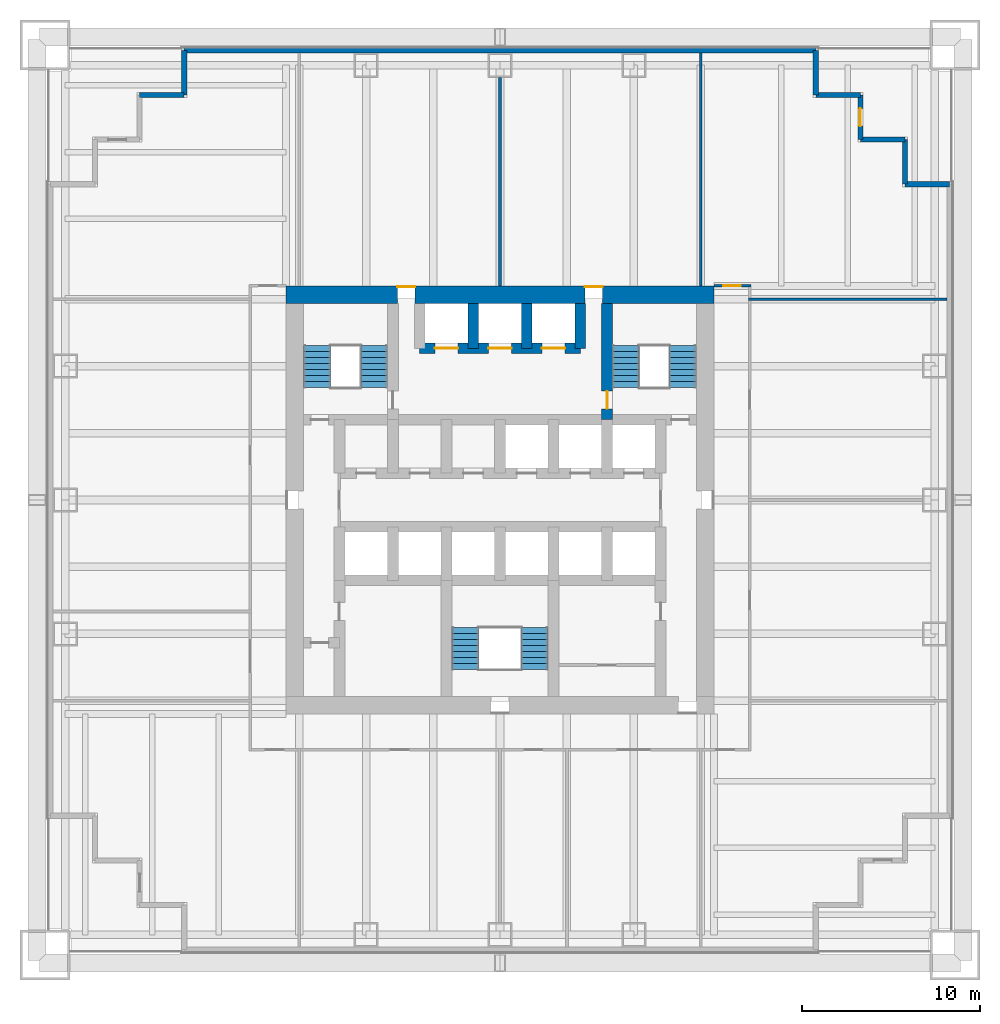
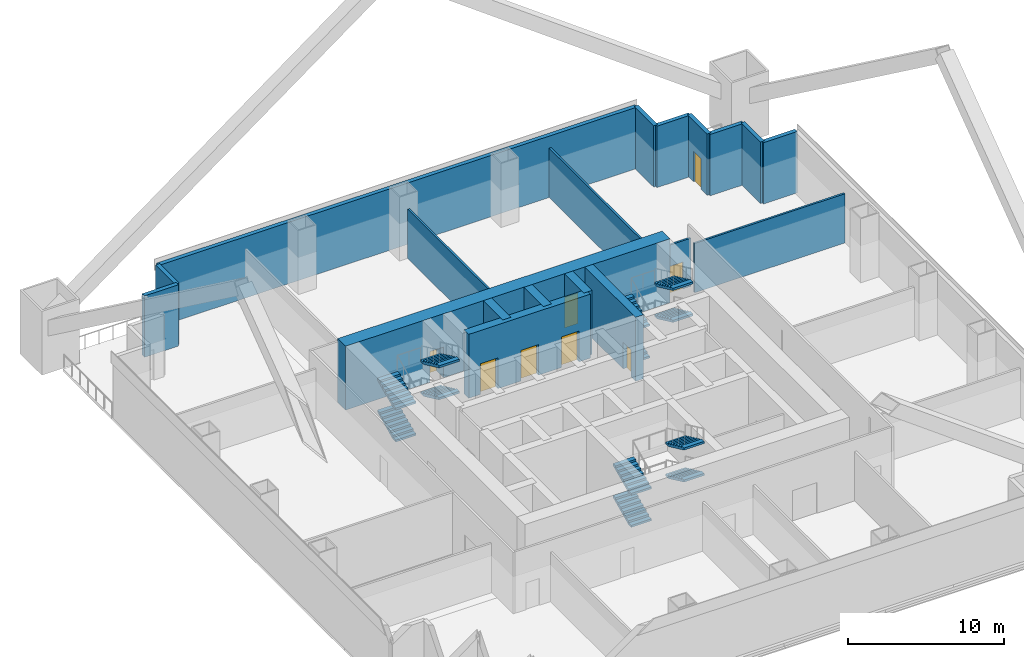
# One storey, part 4 of 6: 19 walls, 12 stair flights, 8 doors, 8 openings, 3 elements without a shape of their own.
"""IFC4 building model written with IfcOpenShell, lengths in metres."""

from ifc_helpers import new_model, si_unit, direction, frame, frame_2d, origin, place, context, subcontext, project, spatial, polyline, rectangle, outline, extrude, material, layer, layer_set, type_object, element, fill, aggregate, save


model = new_model("IFC4")

# Units and contexts
model_context = context("Model", 3, precision=1e-05, world=origin(), true_north=direction((0.0, 1.0)))
body_context = subcontext(model_context, "Body", "Model", "MODEL_VIEW")
ifc_project = project(units=[si_unit("LENGTHUNIT", "METRE"), si_unit("AREAUNIT", "SQUARE_METRE"), si_unit("VOLUMEUNIT", "CUBIC_METRE"), si_unit("PLANEANGLEUNIT", "RADIAN"), si_unit("MASSUNIT", "GRAM", prefix="KILO")], contexts=[model_context])

# Site, building, storey
site_placement = place(None, origin())
site = spatial("IfcSite", under=ifc_project, at=site_placement, CompositionType="ELEMENT")
building_placement = place(site_placement, origin())
building = spatial("IfcBuilding", under=site, at=building_placement, Name="Tarangal Relay Tower", CompositionType="ELEMENT")
storey_placement = place(building_placement, frame((0.0, 0.0, 58.39990234375)))
storey = spatial("IfcBuildingStorey", under=building, at=storey_placement, Name="L11", CompositionType="ELEMENT", Elevation=58.39990234375)

# Wall, openings, doors
ifc_material_1 = material(Name="Concrete fc' 60 MPa", Category="concrete")
ifc_layer_1 = layer(ifc_material_1, 0.60009765625)
ifc_layer_set_1 = layer_set([ifc_layer_1], Name="Core inner wall 600")
wall_type_1 = type_object("IfcWallType", Name="Core inner wall 600", PredefinedType="SHEAR", material=ifc_layer_set_1)
wall_1_placement = place(storey_placement, frame((-4.5, 8.5, 0.0), z_axis=(0.0, 0.0, 1.0), x_axis=(1.0, 0.0, 0.0)))
wall_1 = element("IfcWall", 1, at=wall_1_placement, inside=storey, type_object=wall_type_1, Name="Core wall Y85 L11", PredefinedType="SHEAR", context=body_context, shape_type="SweptSolid", body=[
    extrude(rectangle(XDim=9.0, YDim=0.60009765625, at=frame_2d((4.5, 0.0))), origin(), (0.0, 0.0, 1.0), 5.0),
])
opening_1_placement = place(wall_1_placement, frame((0.85009765625, 0.0, 0.0)))
opening_1 = element("IfcOpeningElement", 2, at=opening_1_placement, cuts=wall_1, Name="Opening LD2", PredefinedType="OPENING", context=body_context, shape_type="SweptSolid", body=[
    extrude(rectangle(XDim=1.300048828125, YDim=2.39990234375, at=frame_2d((0.64990234375, 1.199951171875))), frame((0.0, 0.31005859375, 0.0), z_axis=(0.0, -1.0, 0.0), x_axis=(1.0, 0.0, 0.0)), (0.0, 0.0, 1.0), 0.6201171875),
])
opening_2_placement = place(wall_1_placement, frame((6.85009765625, 0.0, 0.0)))
opening_2 = element("IfcOpeningElement", 3, at=opening_2_placement, cuts=wall_1, Name="Opening LD2", PredefinedType="OPENING", context=body_context, shape_type="SweptSolid", body=[
    extrude(rectangle(XDim=1.300048828125, YDim=2.39990234375, at=frame_2d((0.64990234375, 1.199951171875))), frame((0.0, 0.31005859375, 0.0), z_axis=(0.0, -1.0, 0.0), x_axis=(1.0, 0.0, 0.0)), (0.0, 0.0, 1.0), 0.6201171875),
])
opening_3_placement = place(wall_1_placement, frame((3.85009765625, 0.0, 0.0)))
opening_3 = element("IfcOpeningElement", 4, at=opening_3_placement, cuts=wall_1, Name="Opening LD2", PredefinedType="OPENING", context=body_context, shape_type="SweptSolid", body=[
    extrude(rectangle(XDim=1.300048828125, YDim=2.39990234375, at=frame_2d((0.64990234375, 1.199951171875))), frame((0.0, 0.31005859375, 0.0), z_axis=(0.0, -1.0, 0.0), x_axis=(1.0, 0.0, 0.0)), (0.0, 0.0, 1.0), 0.6201171875),
])
ifc_material_2 = material(Name="Steel door with hardwood frame", Category="steel")
door_type_1 = type_object("IfcDoorType", Name="Lift landing door 1300 x 2400", OperationType="SLIDING_TO_LEFT", PredefinedType="DOOR", material=ifc_material_2)
door_1_placement = place(opening_1_placement, origin())
door_1 = element("IfcDoor", 5, at=door_1_placement, inside=storey, type_object=door_type_1, Name="Lift FF1 landing door L11", OperationType="SLIDING_TO_LEFT", OverallHeight=2.39990234375, OverallWidth=1.300048828125, PredefinedType="DOOR", context=body_context, shape_type="SweptSolid", body=[
    extrude(rectangle(XDim=1.300048828125, YDim=2.39990234375, at=frame_2d((0.64990234375, 1.199951171875))), frame((0.0, 0.02490234375, 0.0), z_axis=(0.0, -1.0, 0.0), x_axis=(1.0, 0.0, 0.0)), (0.0, 0.0, 1.0), 0.050048828125),
])
fill(opening_1, door_1)
door_2_placement = place(opening_2_placement, origin())
door_2 = element("IfcDoor", 6, at=door_2_placement, inside=storey, type_object=door_type_1, Name="Lift FF2 landing door L11", OperationType="SLIDING_TO_LEFT", OverallHeight=2.39990234375, OverallWidth=1.300048828125, PredefinedType="DOOR", context=body_context, shape_type="SweptSolid", body=[
    extrude(rectangle(XDim=1.300048828125, YDim=2.39990234375, at=frame_2d((0.64990234375, 1.199951171875))), frame((0.0, 0.02490234375, 0.0), z_axis=(0.0, -1.0, 0.0), x_axis=(1.0, 0.0, 0.0)), (0.0, 0.0, 1.0), 0.050048828125),
])
fill(opening_2, door_2)
door_3_placement = place(opening_3_placement, origin())
door_3 = element("IfcDoor", 7, at=door_3_placement, inside=storey, type_object=door_type_1, Name="Lift SV1 landing door L11", OperationType="SLIDING_TO_LEFT", OverallHeight=2.39990234375, OverallWidth=1.300048828125, PredefinedType="DOOR", context=body_context, shape_type="SweptSolid", body=[
    extrude(rectangle(XDim=1.300048828125, YDim=2.39990234375, at=frame_2d((0.64990234375, 1.199951171875))), frame((0.0, 0.02490234375, 0.0), z_axis=(0.0, -1.0, 0.0), x_axis=(1.0, 0.0, 0.0)), (0.0, 0.0, 1.0), 0.050048828125),
])
fill(opening_3, door_3)

# Wall, opening, door
wall_2_placement = place(storey_placement, frame((6.0, 4.5, 0.0), z_axis=(0.0, 0.0, 1.0), x_axis=(0.0, 1.0, 0.0)))
wall_2 = element("IfcWall", 8, at=wall_2_placement, inside=storey, type_object=wall_type_1, Name="Core wall X6 L11", PredefinedType="SHEAR", context=body_context, shape_type="SweptSolid", body=[
    extrude(rectangle(XDim=6.5, YDim=0.60009765625, at=frame_2d((3.25, 0.0))), origin(), (0.0, 0.0, 1.0), 5.0),
])
opening_4_placement = place(wall_2_placement, frame((0.60009765625, 0.0, 0.0)))
opening_4 = element("IfcOpeningElement", 9, at=opening_4_placement, cuts=wall_2, Name="Opening FD1", PredefinedType="OPENING", context=body_context, shape_type="SweptSolid", body=[
    extrude(rectangle(XDim=1.0, YDim=2.10009765625, at=frame_2d((0.5, 1.050048828125))), frame((0.0, 0.31005859375, 0.0), z_axis=(0.0, -1.0, 0.0), x_axis=(1.0, 0.0, 0.0)), (0.0, 0.0, 1.0), 0.6201171875),
])
door_type_2 = type_object("IfcDoorType", Name="Fire door 1000 x 2100", OperationType="SINGLE_SWING_LEFT", PredefinedType="DOOR", material=ifc_material_2)
door_4_placement = place(opening_4_placement, origin())
door_4 = element("IfcDoor", 10, at=door_4_placement, inside=storey, type_object=door_type_2, Name="Stair ST-B door from fire-fighting lobby L11", OperationType="SINGLE_SWING_LEFT", OverallHeight=2.10009765625, OverallWidth=1.0, PredefinedType="DOOR", context=body_context, shape_type="SweptSolid", body=[
    extrude(rectangle(XDim=1.0, YDim=2.10009765625, at=frame_2d((0.5, 1.050048828125))), frame((0.0, 0.02490234375, 0.0), z_axis=(0.0, -1.0, 0.0), x_axis=(1.0, 0.0, 0.0)), (0.0, 0.0, 1.0), 0.050048828125),
])
fill(opening_4, door_4)

# Walls
for number, where, z_axis, x_axis, name in (
    (11, (4.5, 8.5, 0.0), (0.0, 0.0, 1.0), (0.0, 1.0, 0.0), "Core wall X45 L11"),
    (12, (-1.5, 8.5, 0.0), (0.0, 0.0, 1.0), (0.0, 1.0, 0.0), "Core wall XM15 L11"),
    (13, (1.5, 8.5, 0.0), (0.0, 0.0, 1.0), (0.0, 1.0, 0.0), "Core wall X15 L11"),
):
    element("IfcWall", number, at=place(storey_placement, frame(where, z_axis=z_axis, x_axis=x_axis)), inside=storey, type_object=wall_type_1, Name=name, PredefinedType="SHEAR", context=body_context, shape_type="SweptSolid", body=[
        extrude(rectangle(XDim=2.5, YDim=0.60009765625, at=frame_2d((1.25, 0.0))), origin(), (0.0, 0.0, 1.0), 5.0),
    ])

# Wall, openings, doors
ifc_layer_2 = layer(ifc_material_1, 1.0)
ifc_layer_set_2 = layer_set([ifc_layer_2], Name="Core wall 1000")
wall_type_2 = type_object("IfcWallType", Name="Core wall 1000", PredefinedType="SHEAR", material=ifc_layer_set_2)
wall_3_placement = place(storey_placement, frame((-12.0, 11.5, 0.0), z_axis=(0.0, 0.0, 1.0), x_axis=(1.0, 0.0, 0.0)))
wall_3 = element("IfcWall", 14, at=wall_3_placement, inside=storey, type_object=wall_type_2, Name="Core wall N L11", PredefinedType="SHEAR", context=body_context, shape_type="SweptSolid", body=[
    extrude(rectangle(XDim=24.0, YDim=1.0, at=frame_2d((12.0, 0.0))), origin(), (0.0, 0.0, 1.0), 5.0),
])
opening_5_placement = place(wall_3_placement, frame((6.25, 0.0, 0.0)))
opening_5 = element("IfcOpeningElement", 15, at=opening_5_placement, cuts=wall_3, Name="Opening FD3", PredefinedType="OPENING", context=body_context, shape_type="SweptSolid", body=[
    extrude(rectangle(XDim=1.0, YDim=2.39990234375, at=frame_2d((0.5, 1.199951171875))), frame((0.0, 0.510009765625, 0.0), z_axis=(0.0, -1.0, 0.0), x_axis=(1.0, 0.0, 0.0)), (0.0, 0.0, 1.0), 1.02001953125),
])
opening_6_placement = place(wall_3_placement, frame((16.75, 0.0, 0.0)))
opening_6 = element("IfcOpeningElement", 16, at=opening_6_placement, cuts=wall_3, Name="Opening FD3", PredefinedType="OPENING", context=body_context, shape_type="SweptSolid", body=[
    extrude(rectangle(XDim=1.0, YDim=2.39990234375, at=frame_2d((0.5, 1.199951171875))), frame((0.0, 0.510009765625, 0.0), z_axis=(0.0, -1.0, 0.0), x_axis=(1.0, 0.0, 0.0)), (0.0, 0.0, 1.0), 1.02001953125),
])
door_type_3 = type_object("IfcDoorType", Name="Fire door 1000 x 2400 core entry", OperationType="SINGLE_SWING_RIGHT", PredefinedType="DOOR", material=ifc_material_2)
door_5_placement = place(opening_5_placement, origin())
door_5 = element("IfcDoor", 17, at=door_5_placement, inside=storey, type_object=door_type_3, Name="Core entry door north west L11", OperationType="SINGLE_SWING_RIGHT", OverallHeight=2.39990234375, OverallWidth=1.0, PredefinedType="DOOR", context=body_context, shape_type="SweptSolid", body=[
    extrude(rectangle(XDim=1.0, YDim=2.39990234375, at=frame_2d((0.5, 1.199951171875))), frame((0.0, 0.48486328125, 0.0), z_axis=(0.0, -1.0, 0.0), x_axis=(1.0, 0.0, 0.0)), (0.0, 0.0, 1.0), 0.050048828125),
])
fill(opening_5, door_5)
door_6_placement = place(opening_6_placement, origin())
door_6 = element("IfcDoor", 18, at=door_6_placement, inside=storey, type_object=door_type_3, Name="Core entry door north east L11", OperationType="SINGLE_SWING_RIGHT", OverallHeight=2.39990234375, OverallWidth=1.0, PredefinedType="DOOR", context=body_context, shape_type="SweptSolid", body=[
    extrude(rectangle(XDim=1.0, YDim=2.39990234375, at=frame_2d((0.5, 1.199951171875))), frame((0.0, 0.48486328125, 0.0), z_axis=(0.0, -1.0, 0.0), x_axis=(1.0, 0.0, 0.0)), (0.0, 0.0, 1.0), 0.050048828125),
])
fill(opening_6, door_6)

# Walls
ifc_material_3 = material(Name="Insulated precast concrete fc' 40 MPa", Category="concrete")
ifc_layer_3 = layer(ifc_material_3, 0.300048828125)
ifc_layer_set_3 = layer_set([ifc_layer_3], Name="Insulated precast concrete fc' 40 MPa")
wall_type_3 = type_object("IfcWallType", Name="Facade wall precast 300", PredefinedType="SOLIDWALL", material=ifc_layer_set_3)
wall_4_placement = place(storey_placement, frame((-17.699951171875, 25.199951171875, 0.0), z_axis=(0.0, 0.0, 1.0), x_axis=(1.0, 0.0, 0.0)))
element("IfcWall", 19, at=wall_4_placement, inside=storey, type_object=wall_type_3, Name="Facade wall N facade L11", PredefinedType="SOLIDWALL", context=body_context, shape_type="SweptSolid", body=[
    extrude(rectangle(XDim=35.39990234375, YDim=0.300048828125, at=frame_2d((17.699951171875, 0.0))), origin(), (0.0, 0.0, 1.0), 4.800048828125),
])
for number, where, z_axis, x_axis, name in (
    (20, (17.699951171875, 25.199951171875, 0.0), (0.0, 0.0, 1.0), (0.0, -1.0, 0.0), "Facade wall N facade L11"),
    (21, (17.699951171875, 22.699951171875, 0.0), (0.0, 0.0, 1.0), (1.0, 0.0, 0.0), "Facade wall N facade L11"),
):
    element("IfcWall", number, at=place(storey_placement, frame(where, z_axis=z_axis, x_axis=x_axis)), inside=storey, type_object=wall_type_3, Name=name, PredefinedType="SOLIDWALL", context=body_context, shape_type="SweptSolid", body=[
        extrude(rectangle(XDim=2.5, YDim=0.300048828125, at=frame_2d((1.25, 0.0))), origin(), (0.0, 0.0, 1.0), 4.800048828125),
    ])

# Wall, opening, door
wall_5_placement = place(storey_placement, frame((20.199951171875, 22.699951171875, 0.0), z_axis=(0.0, 0.0, 1.0), x_axis=(0.0, -1.0, 0.0)))
wall_5 = element("IfcWall", 22, at=wall_5_placement, inside=storey, type_object=wall_type_3, Name="Facade wall N facade L11", PredefinedType="SOLIDWALL", context=body_context, shape_type="SweptSolid", body=[
    extrude(rectangle(XDim=2.5, YDim=0.300048828125, at=frame_2d((1.25, 0.0))), origin(), (0.0, 0.0, 1.0), 4.800048828125),
])
opening_7_placement = place(wall_5_placement, frame((0.75, 0.0, 0.0)))
opening_7 = element("IfcOpeningElement", 23, at=opening_7_placement, cuts=wall_5, Name="Opening TD1", PredefinedType="OPENING", context=body_context, shape_type="SweptSolid", body=[
    extrude(rectangle(XDim=1.0, YDim=2.39990234375, at=frame_2d((0.5, 1.199951171875))), frame((0.0, 0.159912109375, 0.0), z_axis=(0.0, -1.0, 0.0), x_axis=(1.0, 0.0, 0.0)), (0.0, 0.0, 1.0), 0.320068359375),
])
ifc_material_4 = material(Name="Aluminium glazed door", Category="aluminium")
door_type_4 = type_object("IfcDoorType", Name="Terrace door 1000 x 2400", OperationType="SINGLE_SWING_RIGHT", PredefinedType="DOOR", material=ifc_material_4)
door_7_placement = place(opening_7_placement, origin())
door_7 = element("IfcDoor", 24, at=door_7_placement, inside=storey, type_object=door_type_4, Name="Terrace door TD1 NE L11", OperationType="SINGLE_SWING_RIGHT", OverallHeight=2.39990234375, OverallWidth=1.0, PredefinedType="DOOR", context=body_context, shape_type="SweptSolid", body=[
    extrude(rectangle(XDim=1.0, YDim=2.39990234375, at=frame_2d((0.5, 1.199951171875))), frame((0.0, 0.02490234375, 0.0), z_axis=(0.0, -1.0, 0.0), x_axis=(1.0, 0.0, 0.0)), (0.0, 0.0, 1.0), 0.050048828125),
])
fill(opening_7, door_7)

# Walls
for number, where, z_axis, x_axis, name in (
    (25, (20.199951171875, 20.199951171875, 0.0), (0.0, 0.0, 1.0), (1.0, 0.0, 0.0), "Facade wall N facade L11"),
    (26, (22.699951171875, 20.199951171875, 0.0), (0.0, 0.0, 1.0), (0.0, -1.0, 0.0), "Facade wall N facade L11"),
    (27, (22.699951171875, 17.699951171875, 0.0), (0.0, 0.0, 1.0), (1.0, 0.0, 0.0), "Facade wall N facade L11"),
    (28, (-20.199951171875, 22.699951171875, 0.0), (0.0, 0.0, 1.0), (1.0, 0.0, 0.0), "Facade wall W facade L11"),
    (29, (-17.699951171875, 22.699951171875, 0.0), (0.0, 0.0, 1.0), (0.0, 1.0, 0.0), "Facade wall W facade L11"),
):
    element("IfcWall", number, at=place(storey_placement, frame(where, z_axis=z_axis, x_axis=x_axis)), inside=storey, type_object=wall_type_3, Name=name, PredefinedType="SOLIDWALL", context=body_context, shape_type="SweptSolid", body=[
        extrude(rectangle(XDim=2.5, YDim=0.300048828125, at=frame_2d((1.25, 0.0))), origin(), (0.0, 0.0, 1.0), 4.800048828125),
    ])
ifc_material_5 = material(Name="Gypsum board on steel studs", Category="steel")
ifc_layer_4 = layer(ifc_material_5, 0.14990234375)
ifc_layer_set_4 = layer_set([ifc_layer_4], Name="Partition 150")
wall_type_4 = type_object("IfcWallType", Name="Partition 150", PredefinedType="PARTITIONING", material=ifc_layer_set_4)
wall_6_placement = place(storey_placement, frame((13.925048828125, 11.25, 0.0), z_axis=(0.0, 0.0, 1.0), x_axis=(1.0, 0.0, 0.0)))
element("IfcWall", 30, at=wall_6_placement, inside=storey, type_object=wall_type_4, Name="Partition PT1 L11", PredefinedType="PARTITIONING", context=body_context, shape_type="SweptSolid", body=[
    extrude(rectangle(XDim=11.125, YDim=0.14990234375, at=frame_2d((5.5625, 0.0))), origin(), (0.0, 0.0, 1.0), 3.852783203125),
])

# Wall, opening, door
wall_7_placement = place(storey_placement, frame((12.0, 12.0, 0.0), z_axis=(0.0, 0.0, 1.0), x_axis=(1.0, 0.0, 0.0)))
wall_7 = element("IfcWall", 31, at=wall_7_placement, inside=storey, type_object=wall_type_4, Name="Partition PT1 L11", PredefinedType="PARTITIONING", context=body_context, shape_type="SweptSolid", body=[
    extrude(rectangle(XDim=2.074951171875, YDim=0.14990234375, at=frame_2d((1.03759765625, 0.0))), origin(), (0.0, 0.0, 1.0), 3.763671875),
])
opening_8_placement = place(wall_7_placement, frame((0.5, 0.0, 0.0)))
opening_8 = element("IfcOpeningElement", 32, at=opening_8_placement, cuts=wall_7, Name="Opening D2", PredefinedType="OPENING", context=body_context, shape_type="SweptSolid", body=[
    extrude(rectangle(XDim=1.0, YDim=2.10009765625, at=frame_2d((0.5, 1.050048828125))), frame((0.0, 0.0849609375, 0.0), z_axis=(0.0, -1.0, 0.0), x_axis=(1.0, 0.0, 0.0)), (0.0, 0.0, 1.0), 0.169921875),
])
ifc_material_6 = material(Name="Hardwood door", Category="wood")
door_type_5 = type_object("IfcDoorType", Name="Door 1000 x 2100", OperationType="SINGLE_SWING_LEFT", PredefinedType="DOOR", material=ifc_material_6)
door_8_placement = place(opening_8_placement, origin())
door_8 = element("IfcDoor", 33, at=door_8_placement, inside=storey, type_object=door_type_5, Name="Door D2 to customer office L11-11", OperationType="SINGLE_SWING_LEFT", OverallHeight=2.10009765625, OverallWidth=1.0, PredefinedType="DOOR", context=body_context, shape_type="SweptSolid", body=[
    extrude(rectangle(XDim=1.0, YDim=2.10009765625, at=frame_2d((0.5, 1.050048828125))), frame((0.0, 0.02490234375, 0.0), z_axis=(0.0, -1.0, 0.0), x_axis=(1.0, 0.0, 0.0)), (0.0, 0.0, 1.0), 0.050048828125),
])
fill(opening_8, door_8)

# Walls
wall_8_placement = place(storey_placement, frame((0.0, 12.0, 0.0), z_axis=(0.0, 0.0, 1.0), x_axis=(0.0, 1.0, 0.0)))
element("IfcWall", 34, at=wall_8_placement, inside=storey, type_object=wall_type_4, Name="Partition PT1 L11", PredefinedType="PARTITIONING", context=body_context, shape_type="SweptSolid", body=[
    extrude(rectangle(XDim=11.68994140625, YDim=0.14990234375, at=frame_2d((5.844970703125, 0.0))), origin(), (0.0, 0.0, 1.0), 3.852783203125),
])
wall_9_placement = place(storey_placement, frame((11.25, 12.0, 0.0), z_axis=(0.0, 0.0, 1.0), x_axis=(0.0, 1.0, 0.0)))
element("IfcWall", 35, at=wall_9_placement, inside=storey, type_object=wall_type_4, Name="Partition PT1 L11", PredefinedType="PARTITIONING", context=body_context, shape_type="SweptSolid", body=[
    extrude(rectangle(XDim=13.050048828125, YDim=0.14990234375, at=frame_2d((6.52490234375, 0.0))), origin(), (0.0, 0.0, 1.0), 3.852783203125),
])

# Stair, stair flights
ifc_material_7 = material(Name="Steel ASTM A992 stair flight", Category="steel")
stair_type = type_object("IfcStairType", Name="Core stair 1500", PredefinedType="HALF_TURN_STAIR", material=ifc_material_7)
stair_1_placement = place(storey_placement, origin())
stair_1 = element("IfcStair", 36, at=stair_1_placement, inside=storey, type_object=stair_type, Name="Stair ST-A L11", PredefinedType="HALF_TURN_STAIR")
stair_flight_type = type_object("IfcStairFlightType", Name="Steel stair flight 1500, 8 risers 156 x 335", PredefinedType="STRAIGHT", material=ifc_material_7)
stair_flight_1_placement = place(storey_placement, frame((-10.25, 6.300048828125, 0.0), z_axis=(0.0, 0.0, 1.0), x_axis=(0.0, 1.0, 0.0)))
stair_flight_1 = element("IfcStairFlight", 37, at=stair_flight_1_placement, type_object=stair_flight_type, Name="ST-A flight 1", NumberOfRisers=8, NumberOfTreads=7, PredefinedType="STRAIGHT", RiserHeight=0.15625, TreadLength=0.335, context=body_context, shape_type="SweptSolid", body=[
    extrude(outline(polyline([(0.0, 0.0), (0.0, 0.15625), (0.3349609375, 0.15625), (0.3349609375, 0.3125), (0.669921875, 0.3125), (0.669921875, 0.46875), (1.0048828125, 0.46875), (1.0048828125, 0.625), (1.340087890625, 0.625), (1.340087890625, 0.78125), (1.675048828125, 0.78125), (1.675048828125, 0.9375), (2.010009765625, 0.9375), (2.010009765625, 1.09375), (2.344970703125, 1.09375), (2.344970703125, 1.25), (2.344970703125, 0.92822265625), (0.354736328125, 0.0), (0.0, 0.0)])), frame((0.0, 0.75, 0.0), z_axis=(0.0, -1.0, 0.0), x_axis=(1.0, 0.0, 0.0)), (0.0, 0.0, 1.0), 1.5),
])
stair_flight_2_placement = place(storey_placement, frame((-7.050048828125, 8.64501953125, 1.25), z_axis=(0.0, 0.0, 1.0), x_axis=(0.0, -1.0, 0.0)))
stair_flight_2 = element("IfcStairFlight", 38, at=stair_flight_2_placement, type_object=stair_flight_type, Name="ST-A flight 2", NumberOfRisers=8, NumberOfTreads=7, PredefinedType="STRAIGHT", RiserHeight=0.15625, TreadLength=0.335, context=body_context, shape_type="SweptSolid", body=[
    extrude(outline(polyline([(0.0, 0.0), (0.0, 0.15625), (0.3349609375, 0.15625), (0.3349609375, 0.3125), (0.669921875, 0.3125), (0.669921875, 0.46875), (1.0048828125, 0.46875), (1.0048828125, 0.625), (1.340087890625, 0.625), (1.340087890625, 0.78125), (1.675048828125, 0.78125), (1.675048828125, 0.9375), (2.010009765625, 0.9375), (2.010009765625, 1.09375), (2.344970703125, 1.09375), (2.344970703125, 1.25), (2.344970703125, 0.92822265625), (0.354736328125, 0.0), (0.0, 0.0)])), frame((0.0, 0.75, 0.0), z_axis=(0.0, -1.0, 0.0), x_axis=(1.0, 0.0, 0.0)), (0.0, 0.0, 1.0), 1.5),
])
stair_flight_3_placement = place(storey_placement, frame((-10.25, 6.300048828125, 2.5), z_axis=(0.0, 0.0, 1.0), x_axis=(0.0, 1.0, 0.0)))
stair_flight_3 = element("IfcStairFlight", 39, at=stair_flight_3_placement, type_object=stair_flight_type, Name="ST-A flight 3", NumberOfRisers=8, NumberOfTreads=7, PredefinedType="STRAIGHT", RiserHeight=0.15625, TreadLength=0.335, context=body_context, shape_type="SweptSolid", body=[
    extrude(outline(polyline([(0.0, 0.0), (0.0, 0.15625), (0.3349609375, 0.15625), (0.3349609375, 0.3125), (0.669921875, 0.3125), (0.669921875, 0.46875), (1.0048828125, 0.46875), (1.0048828125, 0.625), (1.340087890625, 0.625), (1.340087890625, 0.78125), (1.675048828125, 0.78125), (1.675048828125, 0.9375), (2.010009765625, 0.9375), (2.010009765625, 1.09375), (2.344970703125, 1.09375), (2.344970703125, 1.25), (2.344970703125, 0.92822265625), (0.354736328125, 0.0), (0.0, 0.0)])), frame((0.0, 0.75, 0.0), z_axis=(0.0, -1.0, 0.0), x_axis=(1.0, 0.0, 0.0)), (0.0, 0.0, 1.0), 1.5),
])
stair_flight_4_placement = place(storey_placement, frame((-7.050048828125, 8.64501953125, 3.75), z_axis=(0.0, 0.0, 1.0), x_axis=(0.0, -1.0, 0.0)))
stair_flight_4 = element("IfcStairFlight", 40, at=stair_flight_4_placement, type_object=stair_flight_type, Name="ST-A flight 4", NumberOfRisers=8, NumberOfTreads=7, PredefinedType="STRAIGHT", RiserHeight=0.15625, TreadLength=0.335, context=body_context, shape_type="SweptSolid", body=[
    extrude(outline(polyline([(0.0, 0.0), (0.0, 0.15625), (0.3349609375, 0.15625), (0.3349609375, 0.3125), (0.669921875, 0.3125), (0.669921875, 0.46875), (1.0048828125, 0.46875), (1.0048828125, 0.625), (1.340087890625, 0.625), (1.340087890625, 0.78125), (1.675048828125, 0.78125), (1.675048828125, 0.9375), (2.010009765625, 0.9375), (2.010009765625, 1.09375), (2.344970703125, 1.09375), (2.344970703125, 1.25), (2.344970703125, 0.92822265625), (0.354736328125, 0.0), (0.0, 0.0)])), frame((0.0, 0.75, 0.0), z_axis=(0.0, -1.0, 0.0), x_axis=(1.0, 0.0, 0.0)), (0.0, 0.0, 1.0), 1.5),
])
aggregate(stair_1, [stair_flight_1, stair_flight_2, stair_flight_3, stair_flight_4])

stair_2_placement = place(storey_placement, origin())
stair_2 = element("IfcStair", 41, at=stair_2_placement, inside=storey, type_object=stair_type, Name="Stair ST-B L11", PredefinedType="HALF_TURN_STAIR")
stair_flight_5_placement = place(storey_placement, frame((7.050048828125, 6.300048828125, 0.0), z_axis=(0.0, 0.0, 1.0), x_axis=(0.0, 1.0, 0.0)))
stair_flight_5 = element("IfcStairFlight", 42, at=stair_flight_5_placement, type_object=stair_flight_type, Name="ST-B flight 1", NumberOfRisers=8, NumberOfTreads=7, PredefinedType="STRAIGHT", RiserHeight=0.15625, TreadLength=0.335, context=body_context, shape_type="SweptSolid", body=[
    extrude(outline(polyline([(0.0, 0.0), (0.0, 0.15625), (0.3349609375, 0.15625), (0.3349609375, 0.3125), (0.669921875, 0.3125), (0.669921875, 0.46875), (1.0048828125, 0.46875), (1.0048828125, 0.625), (1.340087890625, 0.625), (1.340087890625, 0.78125), (1.675048828125, 0.78125), (1.675048828125, 0.9375), (2.010009765625, 0.9375), (2.010009765625, 1.09375), (2.344970703125, 1.09375), (2.344970703125, 1.25), (2.344970703125, 0.92822265625), (0.354736328125, 0.0), (0.0, 0.0)])), frame((0.0, 0.75, 0.0), z_axis=(0.0, -1.0, 0.0), x_axis=(1.0, 0.0, 0.0)), (0.0, 0.0, 1.0), 1.5),
])
stair_flight_6_placement = place(storey_placement, frame((10.25, 8.64501953125, 1.25), z_axis=(0.0, 0.0, 1.0), x_axis=(0.0, -1.0, 0.0)))
stair_flight_6 = element("IfcStairFlight", 43, at=stair_flight_6_placement, type_object=stair_flight_type, Name="ST-B flight 2", NumberOfRisers=8, NumberOfTreads=7, PredefinedType="STRAIGHT", RiserHeight=0.15625, TreadLength=0.335, context=body_context, shape_type="SweptSolid", body=[
    extrude(outline(polyline([(0.0, 0.0), (0.0, 0.15625), (0.3349609375, 0.15625), (0.3349609375, 0.3125), (0.669921875, 0.3125), (0.669921875, 0.46875), (1.0048828125, 0.46875), (1.0048828125, 0.625), (1.340087890625, 0.625), (1.340087890625, 0.78125), (1.675048828125, 0.78125), (1.675048828125, 0.9375), (2.010009765625, 0.9375), (2.010009765625, 1.09375), (2.344970703125, 1.09375), (2.344970703125, 1.25), (2.344970703125, 0.92822265625), (0.354736328125, 0.0), (0.0, 0.0)])), frame((0.0, 0.75, 0.0), z_axis=(0.0, -1.0, 0.0), x_axis=(1.0, 0.0, 0.0)), (0.0, 0.0, 1.0), 1.5),
])
stair_flight_7_placement = place(storey_placement, frame((7.050048828125, 6.300048828125, 2.5), z_axis=(0.0, 0.0, 1.0), x_axis=(0.0, 1.0, 0.0)))
stair_flight_7 = element("IfcStairFlight", 44, at=stair_flight_7_placement, type_object=stair_flight_type, Name="ST-B flight 3", NumberOfRisers=8, NumberOfTreads=7, PredefinedType="STRAIGHT", RiserHeight=0.15625, TreadLength=0.335, context=body_context, shape_type="SweptSolid", body=[
    extrude(outline(polyline([(0.0, 0.0), (0.0, 0.15625), (0.3349609375, 0.15625), (0.3349609375, 0.3125), (0.669921875, 0.3125), (0.669921875, 0.46875), (1.0048828125, 0.46875), (1.0048828125, 0.625), (1.340087890625, 0.625), (1.340087890625, 0.78125), (1.675048828125, 0.78125), (1.675048828125, 0.9375), (2.010009765625, 0.9375), (2.010009765625, 1.09375), (2.344970703125, 1.09375), (2.344970703125, 1.25), (2.344970703125, 0.92822265625), (0.354736328125, 0.0), (0.0, 0.0)])), frame((0.0, 0.75, 0.0), z_axis=(0.0, -1.0, 0.0), x_axis=(1.0, 0.0, 0.0)), (0.0, 0.0, 1.0), 1.5),
])
stair_flight_8_placement = place(storey_placement, frame((10.25, 8.64501953125, 3.75), z_axis=(0.0, 0.0, 1.0), x_axis=(0.0, -1.0, 0.0)))
stair_flight_8 = element("IfcStairFlight", 45, at=stair_flight_8_placement, type_object=stair_flight_type, Name="ST-B flight 4", NumberOfRisers=8, NumberOfTreads=7, PredefinedType="STRAIGHT", RiserHeight=0.15625, TreadLength=0.335, context=body_context, shape_type="SweptSolid", body=[
    extrude(outline(polyline([(0.0, 0.0), (0.0, 0.15625), (0.3349609375, 0.15625), (0.3349609375, 0.3125), (0.669921875, 0.3125), (0.669921875, 0.46875), (1.0048828125, 0.46875), (1.0048828125, 0.625), (1.340087890625, 0.625), (1.340087890625, 0.78125), (1.675048828125, 0.78125), (1.675048828125, 0.9375), (2.010009765625, 0.9375), (2.010009765625, 1.09375), (2.344970703125, 1.09375), (2.344970703125, 1.25), (2.344970703125, 0.92822265625), (0.354736328125, 0.0), (0.0, 0.0)])), frame((0.0, 0.75, 0.0), z_axis=(0.0, -1.0, 0.0), x_axis=(1.0, 0.0, 0.0)), (0.0, 0.0, 1.0), 1.5),
])
aggregate(stair_2, [stair_flight_5, stair_flight_6, stair_flight_7, stair_flight_8])

stair_3_placement = place(storey_placement, origin())
stair_3 = element("IfcStair", 46, at=stair_3_placement, inside=storey, type_object=stair_type, Name="Stair ST-C L11", PredefinedType="HALF_TURN_STAIR")
stair_flight_9_placement = place(storey_placement, frame((-1.949951171875, -9.5, 0.0), z_axis=(0.0, 0.0, 1.0), x_axis=(0.0, 1.0, 0.0)))
stair_flight_9 = element("IfcStairFlight", 47, at=stair_flight_9_placement, type_object=stair_flight_type, Name="ST-C flight 1", NumberOfRisers=8, NumberOfTreads=7, PredefinedType="STRAIGHT", RiserHeight=0.15625, TreadLength=0.335, context=body_context, shape_type="SweptSolid", body=[
    extrude(outline(polyline([(0.0, 0.0), (0.0, 0.15625), (0.3349609375, 0.15625), (0.3349609375, 0.3125), (0.669921875, 0.3125), (0.669921875, 0.46875), (1.0048828125, 0.46875), (1.0048828125, 0.625), (1.340087890625, 0.625), (1.340087890625, 0.78125), (1.675048828125, 0.78125), (1.675048828125, 0.9375), (2.010009765625, 0.9375), (2.010009765625, 1.09375), (2.344970703125, 1.09375), (2.344970703125, 1.25), (2.344970703125, 0.92822265625), (0.354736328125, 0.0), (0.0, 0.0)])), frame((0.0, 0.75, 0.0), z_axis=(0.0, -1.0, 0.0), x_axis=(1.0, 0.0, 0.0)), (0.0, 0.0, 1.0), 1.5),
])
stair_flight_10_placement = place(storey_placement, frame((1.949951171875, -7.155029296875, 1.25), z_axis=(0.0, 0.0, 1.0), x_axis=(0.0, -1.0, 0.0)))
stair_flight_10 = element("IfcStairFlight", 48, at=stair_flight_10_placement, type_object=stair_flight_type, Name="ST-C flight 2", NumberOfRisers=8, NumberOfTreads=7, PredefinedType="STRAIGHT", RiserHeight=0.15625, TreadLength=0.335, context=body_context, shape_type="SweptSolid", body=[
    extrude(outline(polyline([(0.0, 0.0), (0.0, 0.15625), (0.3349609375, 0.15625), (0.3349609375, 0.3125), (0.669921875, 0.3125), (0.669921875, 0.46875), (1.0048828125, 0.46875), (1.0048828125, 0.625), (1.340087890625, 0.625), (1.340087890625, 0.78125), (1.675048828125, 0.78125), (1.675048828125, 0.9375), (2.010009765625, 0.9375), (2.010009765625, 1.09375), (2.344970703125, 1.09375), (2.344970703125, 1.25), (2.344970703125, 0.92822265625), (0.354736328125, 0.0), (0.0, 0.0)])), frame((0.0, 0.75, 0.0), z_axis=(0.0, -1.0, 0.0), x_axis=(1.0, 0.0, 0.0)), (0.0, 0.0, 1.0), 1.5),
])
stair_flight_11_placement = place(storey_placement, frame((-1.949951171875, -9.5, 2.5), z_axis=(0.0, 0.0, 1.0), x_axis=(0.0, 1.0, 0.0)))
stair_flight_11 = element("IfcStairFlight", 49, at=stair_flight_11_placement, type_object=stair_flight_type, Name="ST-C flight 3", NumberOfRisers=8, NumberOfTreads=7, PredefinedType="STRAIGHT", RiserHeight=0.15625, TreadLength=0.335, context=body_context, shape_type="SweptSolid", body=[
    extrude(outline(polyline([(0.0, 0.0), (0.0, 0.15625), (0.3349609375, 0.15625), (0.3349609375, 0.3125), (0.669921875, 0.3125), (0.669921875, 0.46875), (1.0048828125, 0.46875), (1.0048828125, 0.625), (1.340087890625, 0.625), (1.340087890625, 0.78125), (1.675048828125, 0.78125), (1.675048828125, 0.9375), (2.010009765625, 0.9375), (2.010009765625, 1.09375), (2.344970703125, 1.09375), (2.344970703125, 1.25), (2.344970703125, 0.92822265625), (0.354736328125, 0.0), (0.0, 0.0)])), frame((0.0, 0.75, 0.0), z_axis=(0.0, -1.0, 0.0), x_axis=(1.0, 0.0, 0.0)), (0.0, 0.0, 1.0), 1.5),
])
stair_flight_12_placement = place(storey_placement, frame((1.949951171875, -7.155029296875, 3.75), z_axis=(0.0, 0.0, 1.0), x_axis=(0.0, -1.0, 0.0)))
stair_flight_12 = element("IfcStairFlight", 50, at=stair_flight_12_placement, type_object=stair_flight_type, Name="ST-C flight 4", NumberOfRisers=8, NumberOfTreads=7, PredefinedType="STRAIGHT", RiserHeight=0.15625, TreadLength=0.335, context=body_context, shape_type="SweptSolid", body=[
    extrude(outline(polyline([(0.0, 0.0), (0.0, 0.15625), (0.3349609375, 0.15625), (0.3349609375, 0.3125), (0.669921875, 0.3125), (0.669921875, 0.46875), (1.0048828125, 0.46875), (1.0048828125, 0.625), (1.340087890625, 0.625), (1.340087890625, 0.78125), (1.675048828125, 0.78125), (1.675048828125, 0.9375), (2.010009765625, 0.9375), (2.010009765625, 1.09375), (2.344970703125, 1.09375), (2.344970703125, 1.25), (2.344970703125, 0.92822265625), (0.354736328125, 0.0), (0.0, 0.0)])), frame((0.0, 0.75, 0.0), z_axis=(0.0, -1.0, 0.0), x_axis=(1.0, 0.0, 0.0)), (0.0, 0.0, 1.0), 1.5),
])
aggregate(stair_3, [stair_flight_9, stair_flight_10, stair_flight_11, stair_flight_12])

save(model, "model.ifc")
